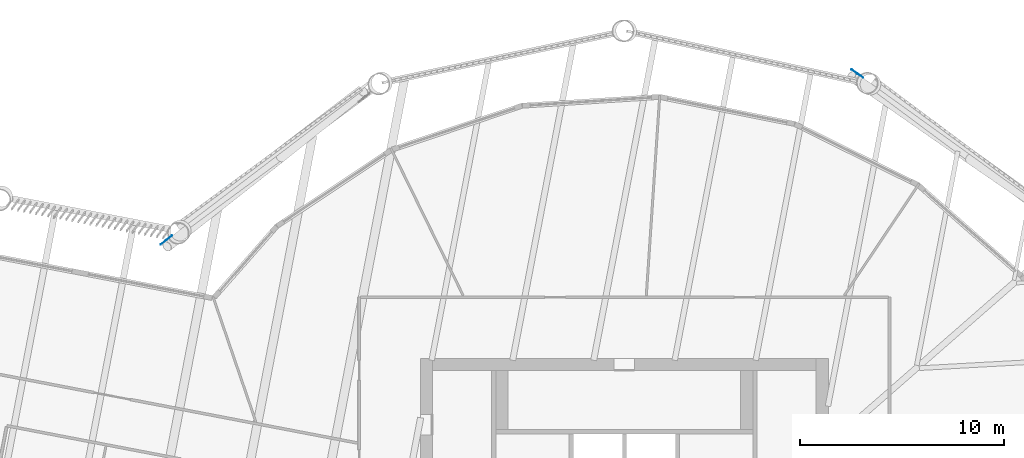
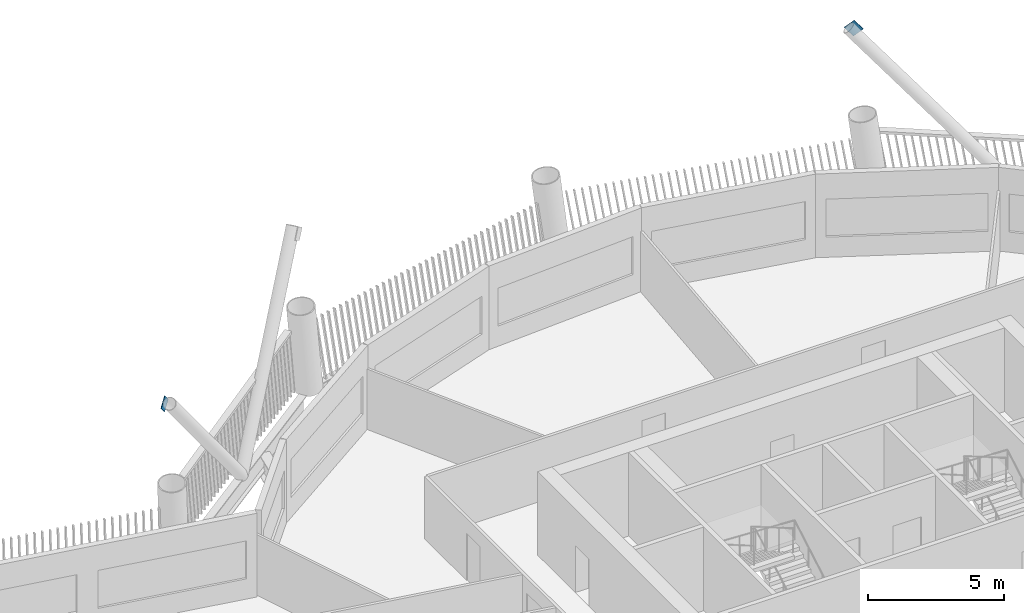
# One storey, part 11 of 23: 2 discrete accessories.
"""IFC4 building model written with IfcOpenShell, lengths in metres."""

from ifc_helpers import new_model, si_unit, direction, frame, origin, origin_2d, place, context, subcontext, project, spatial, rectangle, extrude, material, material_profile, profile_set, type_object, element, save


model = new_model("IFC4")

# Units and contexts
model_context = context("Model", 3, precision=1e-05, world=origin(), true_north=direction((0.0, 1.0)))
body_context = subcontext(model_context, "Body", "Model", "MODEL_VIEW")
ifc_project = project(units=[si_unit("LENGTHUNIT", "METRE"), si_unit("AREAUNIT", "SQUARE_METRE"), si_unit("VOLUMEUNIT", "CUBIC_METRE"), si_unit("PLANEANGLEUNIT", "RADIAN"), si_unit("MASSUNIT", "GRAM", prefix="KILO")], contexts=[model_context])

# Site, building, storey
site_placement = place(None, origin())
site = spatial("IfcSite", under=ifc_project, at=site_placement, CompositionType="ELEMENT")
building_placement = place(site_placement, origin())
building = spatial("IfcBuilding", under=site, at=building_placement, Name="Tarsis Ring Headquarters", CompositionType="ELEMENT")
storey_placement = place(building_placement, frame((0.0, 0.0, 239.39990234375)))
storey = spatial("IfcBuildingStorey", under=building, at=storey_placement, Name="L56", CompositionType="ELEMENT", Elevation=239.39990234375)

# Discrete accessories
ifc_material = material(Name="Structural steel S355", Category="steel")
ifc_material_profile = material_profile(ifc_material, rectangle(XDim=0.02490234375, YDim=0.5, at=origin_2d()), Name="PL 25x500")
ifc_profile_set = profile_set([ifc_material_profile], Name="Structural steel S355")
discrete_accessory_type = type_object("IfcDiscreteAccessoryType", Name="Gusset plate Exo brace 25", PredefinedType="BRACKET", material=ifc_profile_set)
for number, where, z_axis, x_axis, name in (
    (1, (11.2861328125, 27.048828125, 7.800048828125), (0.55217856162, -0.384718573437, -0.73965563294), (0.571659489451, 0.820490967727, 0.0), "Gusset plate GP5"),
    (2, (-22.576171875, 18.6904296875, 7.800048828125), (0.529178229251, 0.415922372068, -0.739580274277), (-0.617949671207, 0.786217656794, 0.0), "Gusset plate GP5"),
):
    element("IfcDiscreteAccessory", number, at=place(storey_placement, frame(where, z_axis=z_axis, x_axis=x_axis)), inside=storey, type_object=discrete_accessory_type, Name=name, PredefinedType="BRACKET", context=body_context, shape_type="SweptSolid", body=[
        extrude(rectangle(XDim=0.02490234375, YDim=0.5, at=origin_2d()), origin(), (0.0, 0.0, 1.0), 0.5),
    ])

save(model, "model.ifc")
